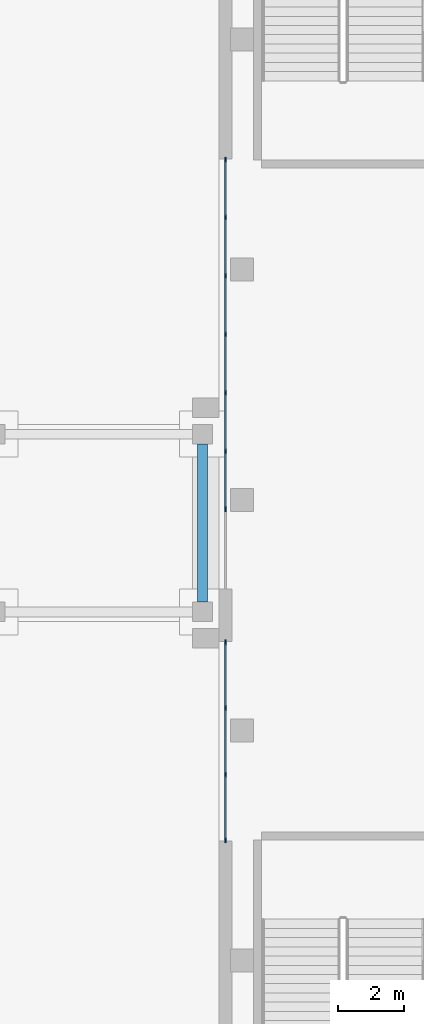
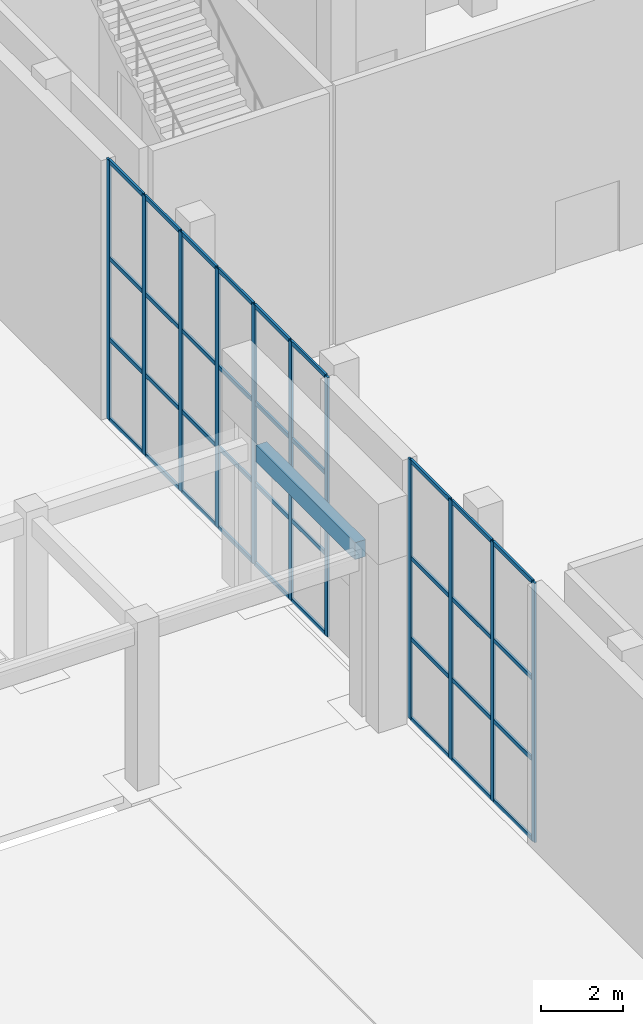
# One storey, part 16 of 57: 47 members, 1 beam, 2 elements without a shape of their own.
"""IFC4 building model written with IfcOpenShell, lengths in metres."""

from ifc_helpers import new_model, si_unit, direction, frame, origin, origin_2d, place, context, subcontext, project, spatial, rectangle, extrude, material, material_profile, profile_set, type_object, element, aggregate, save


model = new_model("IFC4")

# Units and contexts
model_context = context("Model", 3, precision=1e-05, world=origin(), true_north=direction((0.0, 1.0)))
body_context = subcontext(model_context, "Body", "Model", "MODEL_VIEW")
ifc_project = project(units=[si_unit("LENGTHUNIT", "METRE"), si_unit("AREAUNIT", "SQUARE_METRE"), si_unit("VOLUMEUNIT", "CUBIC_METRE"), si_unit("PLANEANGLEUNIT", "RADIAN"), si_unit("MASSUNIT", "GRAM", prefix="KILO")], contexts=[model_context])

# Site, building, storey
site_placement = place(None, origin())
site = spatial("IfcSite", under=ifc_project, at=site_placement, CompositionType="ELEMENT")
building_placement = place(site_placement, origin())
building = spatial("IfcBuilding", under=site, at=building_placement, Name="Tamorin Gate", CompositionType="ELEMENT")
storey_placement = place(building_placement, origin())
storey = spatial("IfcBuildingStorey", under=building, at=storey_placement, Name="L00", CompositionType="ELEMENT", Elevation=0.0)

# Curtain wall, members
ifc_material_1 = material(Name="Aluminium and glass", Category="aluminium")
curtain_wall_type = type_object("IfcCurtainWallType", Name="Museum atrium curtain wall", PredefinedType="NOTDEFINED", material=ifc_material_1)
curtain_wall_1_placement = place(storey_placement, origin())
curtain_wall_1 = element("IfcCurtainWall", 1, at=curtain_wall_1_placement, inside=storey, type_object=curtain_wall_type, Name="Museum atrium glazing", PredefinedType="NOTDEFINED")
ifc_material_2 = material(Name="Aluminium", Category="aluminium")
ifc_material_profile_1 = material_profile(ifc_material_2, rectangle(XDim=0.06005859375, YDim=0.159912109375, at=origin_2d()), Name="RECT 60x160")
ifc_profile_set_1 = profile_set([ifc_material_profile_1], Name="Aluminium")
member_type_1 = type_object("IfcMemberType", Name="Museum mullion 60x160", PredefinedType="MULLION", material=ifc_profile_set_1)
member_1_placement = place(storey_placement, frame((145.199951171875, 66.360107421875, 0.0), z_axis=(0.0, 0.0, 1.0), x_axis=(-1.0, 0.0, 0.0)))
member_1 = element("IfcMember", 2, at=member_1_placement, type_object=member_type_1, Name="CWM1 mullion 1", PredefinedType="MULLION", context=body_context, shape_type="SweptSolid", body=[
    extrude(rectangle(XDim=0.06005859375, YDim=0.159912109375, at=origin_2d()), origin(), (0.0, 0.0, 1.0), 7.699951171875),
])
member_2_placement = place(storey_placement, frame((145.199951171875, 68.353271484375, 0.0), z_axis=(0.0, 0.0, 1.0), x_axis=(-1.0, 0.0, 0.0)))
member_2 = element("IfcMember", 3, at=member_2_placement, type_object=member_type_1, Name="CWM1 mullion 2", PredefinedType="MULLION", context=body_context, shape_type="SweptSolid", body=[
    extrude(rectangle(XDim=0.06005859375, YDim=0.159912109375, at=origin_2d()), origin(), (0.0, 0.0, 1.0), 7.699951171875),
])
member_3_placement = place(storey_placement, frame((145.199951171875, 70.376708984375, 0.0), z_axis=(0.0, 0.0, 1.0), x_axis=(-1.0, 0.0, 0.0)))
member_3 = element("IfcMember", 4, at=member_3_placement, type_object=member_type_1, Name="CWM1 mullion 3", PredefinedType="MULLION", context=body_context, shape_type="SweptSolid", body=[
    extrude(rectangle(XDim=0.06005859375, YDim=0.159912109375, at=origin_2d()), origin(), (0.0, 0.0, 1.0), 7.699951171875),
])
member_4_placement = place(storey_placement, frame((145.199951171875, 72.3701171875, 0.0), z_axis=(0.0, 0.0, 1.0), x_axis=(-1.0, 0.0, 0.0)))
member_4 = element("IfcMember", 5, at=member_4_placement, type_object=member_type_1, Name="CWM1 mullion 4", PredefinedType="MULLION", context=body_context, shape_type="SweptSolid", body=[
    extrude(rectangle(XDim=0.06005859375, YDim=0.159912109375, at=origin_2d()), origin(), (0.0, 0.0, 1.0), 7.699951171875),
])

curtain_wall_2_placement = place(storey_placement, origin())
curtain_wall_2 = element("IfcCurtainWall", 6, at=curtain_wall_2_placement, inside=storey, type_object=curtain_wall_type, Name="Museum atrium glazing", PredefinedType="NOTDEFINED")
member_5_placement = place(storey_placement, frame((145.199951171875, 76.429931640625, 0.0), z_axis=(0.0, 0.0, 1.0), x_axis=(-1.0, 0.0, 0.0)))
member_5 = element("IfcMember", 7, at=member_5_placement, type_object=member_type_1, Name="CWM2 mullion 1", PredefinedType="MULLION", context=body_context, shape_type="SweptSolid", body=[
    extrude(rectangle(XDim=0.06005859375, YDim=0.159912109375, at=origin_2d()), origin(), (0.0, 0.0, 1.0), 7.699951171875),
])
member_6_placement = place(storey_placement, frame((145.199951171875, 78.17822265625, 0.0), z_axis=(0.0, 0.0, 1.0), x_axis=(-1.0, 0.0, 0.0)))
member_6 = element("IfcMember", 8, at=member_6_placement, type_object=member_type_1, Name="CWM2 mullion 2", PredefinedType="MULLION", context=body_context, shape_type="SweptSolid", body=[
    extrude(rectangle(XDim=0.06005859375, YDim=0.159912109375, at=origin_2d()), origin(), (0.0, 0.0, 1.0), 7.699951171875),
])
member_7_placement = place(storey_placement, frame((145.199951171875, 79.956787109375, 0.0), z_axis=(0.0, 0.0, 1.0), x_axis=(-1.0, 0.0, 0.0)))
member_7 = element("IfcMember", 9, at=member_7_placement, type_object=member_type_1, Name="CWM2 mullion 3", PredefinedType="MULLION", context=body_context, shape_type="SweptSolid", body=[
    extrude(rectangle(XDim=0.06005859375, YDim=0.159912109375, at=origin_2d()), origin(), (0.0, 0.0, 1.0), 7.699951171875),
])
member_8_placement = place(storey_placement, frame((145.199951171875, 81.735107421875, 0.0), z_axis=(0.0, 0.0, 1.0), x_axis=(-1.0, 0.0, 0.0)))
member_8 = element("IfcMember", 10, at=member_8_placement, type_object=member_type_1, Name="CWM2 mullion 4", PredefinedType="MULLION", context=body_context, shape_type="SweptSolid", body=[
    extrude(rectangle(XDim=0.06005859375, YDim=0.159912109375, at=origin_2d()), origin(), (0.0, 0.0, 1.0), 7.699951171875),
])
member_9_placement = place(storey_placement, frame((145.199951171875, 83.513427734375, 0.0), z_axis=(0.0, 0.0, 1.0), x_axis=(-1.0, 0.0, 0.0)))
member_9 = element("IfcMember", 11, at=member_9_placement, type_object=member_type_1, Name="CWM2 mullion 5", PredefinedType="MULLION", context=body_context, shape_type="SweptSolid", body=[
    extrude(rectangle(XDim=0.06005859375, YDim=0.159912109375, at=origin_2d()), origin(), (0.0, 0.0, 1.0), 7.699951171875),
])
member_10_placement = place(storey_placement, frame((145.199951171875, 85.291748046875, 0.0), z_axis=(0.0, 0.0, 1.0), x_axis=(-1.0, 0.0, 0.0)))
member_10 = element("IfcMember", 12, at=member_10_placement, type_object=member_type_1, Name="CWM2 mullion 6", PredefinedType="MULLION", context=body_context, shape_type="SweptSolid", body=[
    extrude(rectangle(XDim=0.06005859375, YDim=0.159912109375, at=origin_2d()), origin(), (0.0, 0.0, 1.0), 7.699951171875),
])
member_11_placement = place(storey_placement, frame((145.199951171875, 87.0400390625, 0.0), z_axis=(0.0, 0.0, 1.0), x_axis=(-1.0, 0.0, 0.0)))
member_11 = element("IfcMember", 13, at=member_11_placement, type_object=member_type_1, Name="CWM2 mullion 7", PredefinedType="MULLION", context=body_context, shape_type="SweptSolid", body=[
    extrude(rectangle(XDim=0.06005859375, YDim=0.159912109375, at=origin_2d()), origin(), (0.0, 0.0, 1.0), 7.699951171875),
])

# Member
ifc_material_profile_2 = material_profile(ifc_material_2, rectangle(XDim=0.06005859375, YDim=0.1201171875, at=origin_2d()), Name="RECT 60x120")
ifc_profile_set_2 = profile_set([ifc_material_profile_2], Name="Aluminium")
member_type_2 = type_object("IfcMemberType", Name="Museum transom 60x120", PredefinedType="USERDEFINED", material=ifc_profile_set_2)
member_12_placement = place(storey_placement, frame((145.199951171875, 66.389892578125, 0.030029296875), z_axis=(0.0, 1.0, 0.0), x_axis=(-1.0, 0.0, 0.0)))
member_12 = element("IfcMember", 14, at=member_12_placement, type_object=member_type_2, Name="CWM1 transom 1.1", ObjectType="TRANSOM", PredefinedType="USERDEFINED", context=body_context, shape_type="SweptSolid", body=[
    extrude(rectangle(XDim=0.06005859375, YDim=0.1201171875, at=origin_2d()), origin(), (0.0, 0.0, 1.0), 1.933349609375),
])

member_13_placement = place(storey_placement, frame((145.199951171875, 66.389892578125, 2.39990234375), z_axis=(0.0, 1.0, 0.0), x_axis=(-1.0, 0.0, 0.0)))
member_13 = element("IfcMember", 15, at=member_13_placement, type_object=member_type_2, Name="CWM1 transom 1.2", ObjectType="TRANSOM", PredefinedType="USERDEFINED", context=body_context, shape_type="SweptSolid", body=[
    extrude(rectangle(XDim=0.06005859375, YDim=0.1201171875, at=origin_2d()), origin(), (0.0, 0.0, 1.0), 1.933349609375),
])

member_14_placement = place(storey_placement, frame((145.199951171875, 66.389892578125, 4.800048828125), z_axis=(0.0, 1.0, 0.0), x_axis=(-1.0, 0.0, 0.0)))
member_14 = element("IfcMember", 16, at=member_14_placement, type_object=member_type_2, Name="CWM1 transom 1.3", ObjectType="TRANSOM", PredefinedType="USERDEFINED", context=body_context, shape_type="SweptSolid", body=[
    extrude(rectangle(XDim=0.06005859375, YDim=0.1201171875, at=origin_2d()), origin(), (0.0, 0.0, 1.0), 1.933349609375),
])

member_15_placement = place(storey_placement, frame((145.199951171875, 66.389892578125, 7.669921875), z_axis=(0.0, 1.0, 0.0), x_axis=(-1.0, 0.0, 0.0)))
member_15 = element("IfcMember", 17, at=member_15_placement, type_object=member_type_2, Name="CWM1 transom 1.4", ObjectType="TRANSOM", PredefinedType="USERDEFINED", context=body_context, shape_type="SweptSolid", body=[
    extrude(rectangle(XDim=0.06005859375, YDim=0.1201171875, at=origin_2d()), origin(), (0.0, 0.0, 1.0), 1.933349609375),
])

member_16_placement = place(storey_placement, frame((145.199951171875, 68.38330078125, 0.030029296875), z_axis=(0.0, 1.0, 0.0), x_axis=(-1.0, 0.0, 0.0)))
member_16 = element("IfcMember", 18, at=member_16_placement, type_object=member_type_2, Name="CWM1 transom 2.1", ObjectType="TRANSOM", PredefinedType="USERDEFINED", context=body_context, shape_type="SweptSolid", body=[
    extrude(rectangle(XDim=0.06005859375, YDim=0.1201171875, at=origin_2d()), origin(), (0.0, 0.0, 1.0), 1.96337890625),
])

member_17_placement = place(storey_placement, frame((145.199951171875, 68.38330078125, 2.39990234375), z_axis=(0.0, 1.0, 0.0), x_axis=(-1.0, 0.0, 0.0)))
member_17 = element("IfcMember", 19, at=member_17_placement, type_object=member_type_2, Name="CWM1 transom 2.2", ObjectType="TRANSOM", PredefinedType="USERDEFINED", context=body_context, shape_type="SweptSolid", body=[
    extrude(rectangle(XDim=0.06005859375, YDim=0.1201171875, at=origin_2d()), origin(), (0.0, 0.0, 1.0), 1.96337890625),
])

member_18_placement = place(storey_placement, frame((145.199951171875, 68.38330078125, 4.800048828125), z_axis=(0.0, 1.0, 0.0), x_axis=(-1.0, 0.0, 0.0)))
member_18 = element("IfcMember", 20, at=member_18_placement, type_object=member_type_2, Name="CWM1 transom 2.3", ObjectType="TRANSOM", PredefinedType="USERDEFINED", context=body_context, shape_type="SweptSolid", body=[
    extrude(rectangle(XDim=0.06005859375, YDim=0.1201171875, at=origin_2d()), origin(), (0.0, 0.0, 1.0), 1.96337890625),
])

member_19_placement = place(storey_placement, frame((145.199951171875, 68.38330078125, 7.669921875), z_axis=(0.0, 1.0, 0.0), x_axis=(-1.0, 0.0, 0.0)))
member_19 = element("IfcMember", 21, at=member_19_placement, type_object=member_type_2, Name="CWM1 transom 2.4", ObjectType="TRANSOM", PredefinedType="USERDEFINED", context=body_context, shape_type="SweptSolid", body=[
    extrude(rectangle(XDim=0.06005859375, YDim=0.1201171875, at=origin_2d()), origin(), (0.0, 0.0, 1.0), 1.96337890625),
])

member_20_placement = place(storey_placement, frame((145.199951171875, 70.40673828125, 0.030029296875), z_axis=(0.0, 1.0, 0.0), x_axis=(-1.0, 0.0, 0.0)))
member_20 = element("IfcMember", 22, at=member_20_placement, type_object=member_type_2, Name="CWM1 transom 3.1", ObjectType="TRANSOM", PredefinedType="USERDEFINED", context=body_context, shape_type="SweptSolid", body=[
    extrude(rectangle(XDim=0.06005859375, YDim=0.1201171875, at=origin_2d()), origin(), (0.0, 0.0, 1.0), 1.933349609375),
])

member_21_placement = place(storey_placement, frame((145.199951171875, 70.40673828125, 2.39990234375), z_axis=(0.0, 1.0, 0.0), x_axis=(-1.0, 0.0, 0.0)))
member_21 = element("IfcMember", 23, at=member_21_placement, type_object=member_type_2, Name="CWM1 transom 3.2", ObjectType="TRANSOM", PredefinedType="USERDEFINED", context=body_context, shape_type="SweptSolid", body=[
    extrude(rectangle(XDim=0.06005859375, YDim=0.1201171875, at=origin_2d()), origin(), (0.0, 0.0, 1.0), 1.933349609375),
])

member_22_placement = place(storey_placement, frame((145.199951171875, 70.40673828125, 4.800048828125), z_axis=(0.0, 1.0, 0.0), x_axis=(-1.0, 0.0, 0.0)))
member_22 = element("IfcMember", 24, at=member_22_placement, type_object=member_type_2, Name="CWM1 transom 3.3", ObjectType="TRANSOM", PredefinedType="USERDEFINED", context=body_context, shape_type="SweptSolid", body=[
    extrude(rectangle(XDim=0.06005859375, YDim=0.1201171875, at=origin_2d()), origin(), (0.0, 0.0, 1.0), 1.933349609375),
])

member_23_placement = place(storey_placement, frame((145.199951171875, 70.40673828125, 7.669921875), z_axis=(0.0, 1.0, 0.0), x_axis=(-1.0, 0.0, 0.0)))
member_23 = element("IfcMember", 25, at=member_23_placement, type_object=member_type_2, Name="CWM1 transom 3.4", ObjectType="TRANSOM", PredefinedType="USERDEFINED", context=body_context, shape_type="SweptSolid", body=[
    extrude(rectangle(XDim=0.06005859375, YDim=0.1201171875, at=origin_2d()), origin(), (0.0, 0.0, 1.0), 1.933349609375),
])

aggregate(curtain_wall_1, [member_1, member_2, member_3, member_4, member_12, member_13, member_14, member_15, member_16, member_17, member_18, member_19, member_20, member_21, member_22, member_23])

member_24_placement = place(storey_placement, frame((145.199951171875, 76.4599609375, 0.030029296875), z_axis=(0.0, 1.0, 0.0), x_axis=(-1.0, 0.0, 0.0)))
member_24 = element("IfcMember", 26, at=member_24_placement, type_object=member_type_2, Name="CWM2 transom 1.1", ObjectType="TRANSOM", PredefinedType="USERDEFINED", context=body_context, shape_type="SweptSolid", body=[
    extrude(rectangle(XDim=0.06005859375, YDim=0.1201171875, at=origin_2d()), origin(), (0.0, 0.0, 1.0), 1.6884765625),
])

member_25_placement = place(storey_placement, frame((145.199951171875, 76.4599609375, 2.39990234375), z_axis=(0.0, 1.0, 0.0), x_axis=(-1.0, 0.0, 0.0)))
member_25 = element("IfcMember", 27, at=member_25_placement, type_object=member_type_2, Name="CWM2 transom 1.2", ObjectType="TRANSOM", PredefinedType="USERDEFINED", context=body_context, shape_type="SweptSolid", body=[
    extrude(rectangle(XDim=0.06005859375, YDim=0.1201171875, at=origin_2d()), origin(), (0.0, 0.0, 1.0), 1.6884765625),
])

member_26_placement = place(storey_placement, frame((145.199951171875, 76.4599609375, 4.800048828125), z_axis=(0.0, 1.0, 0.0), x_axis=(-1.0, 0.0, 0.0)))
member_26 = element("IfcMember", 28, at=member_26_placement, type_object=member_type_2, Name="CWM2 transom 1.3", ObjectType="TRANSOM", PredefinedType="USERDEFINED", context=body_context, shape_type="SweptSolid", body=[
    extrude(rectangle(XDim=0.06005859375, YDim=0.1201171875, at=origin_2d()), origin(), (0.0, 0.0, 1.0), 1.6884765625),
])

member_27_placement = place(storey_placement, frame((145.199951171875, 76.4599609375, 7.669921875), z_axis=(0.0, 1.0, 0.0), x_axis=(-1.0, 0.0, 0.0)))
member_27 = element("IfcMember", 29, at=member_27_placement, type_object=member_type_2, Name="CWM2 transom 1.4", ObjectType="TRANSOM", PredefinedType="USERDEFINED", context=body_context, shape_type="SweptSolid", body=[
    extrude(rectangle(XDim=0.06005859375, YDim=0.1201171875, at=origin_2d()), origin(), (0.0, 0.0, 1.0), 1.6884765625),
])

member_28_placement = place(storey_placement, frame((145.199951171875, 78.208251953125, 0.030029296875), z_axis=(0.0, 1.0, 0.0), x_axis=(-1.0, 0.0, 0.0)))
member_28 = element("IfcMember", 30, at=member_28_placement, type_object=member_type_2, Name="CWM2 transom 2.1", ObjectType="TRANSOM", PredefinedType="USERDEFINED", context=body_context, shape_type="SweptSolid", body=[
    extrude(rectangle(XDim=0.06005859375, YDim=0.1201171875, at=origin_2d()), origin(), (0.0, 0.0, 1.0), 1.718505859375),
])

member_29_placement = place(storey_placement, frame((145.199951171875, 78.208251953125, 2.39990234375), z_axis=(0.0, 1.0, 0.0), x_axis=(-1.0, 0.0, 0.0)))
member_29 = element("IfcMember", 31, at=member_29_placement, type_object=member_type_2, Name="CWM2 transom 2.2", ObjectType="TRANSOM", PredefinedType="USERDEFINED", context=body_context, shape_type="SweptSolid", body=[
    extrude(rectangle(XDim=0.06005859375, YDim=0.1201171875, at=origin_2d()), origin(), (0.0, 0.0, 1.0), 1.718505859375),
])

member_30_placement = place(storey_placement, frame((145.199951171875, 78.208251953125, 4.800048828125), z_axis=(0.0, 1.0, 0.0), x_axis=(-1.0, 0.0, 0.0)))
member_30 = element("IfcMember", 32, at=member_30_placement, type_object=member_type_2, Name="CWM2 transom 2.3", ObjectType="TRANSOM", PredefinedType="USERDEFINED", context=body_context, shape_type="SweptSolid", body=[
    extrude(rectangle(XDim=0.06005859375, YDim=0.1201171875, at=origin_2d()), origin(), (0.0, 0.0, 1.0), 1.718505859375),
])

member_31_placement = place(storey_placement, frame((145.199951171875, 78.208251953125, 7.669921875), z_axis=(0.0, 1.0, 0.0), x_axis=(-1.0, 0.0, 0.0)))
member_31 = element("IfcMember", 33, at=member_31_placement, type_object=member_type_2, Name="CWM2 transom 2.4", ObjectType="TRANSOM", PredefinedType="USERDEFINED", context=body_context, shape_type="SweptSolid", body=[
    extrude(rectangle(XDim=0.06005859375, YDim=0.1201171875, at=origin_2d()), origin(), (0.0, 0.0, 1.0), 1.718505859375),
])

member_32_placement = place(storey_placement, frame((145.199951171875, 79.986572265625, 0.030029296875), z_axis=(0.0, 1.0, 0.0), x_axis=(-1.0, 0.0, 0.0)))
member_32 = element("IfcMember", 34, at=member_32_placement, type_object=member_type_2, Name="CWM2 transom 3.1", ObjectType="TRANSOM", PredefinedType="USERDEFINED", context=body_context, shape_type="SweptSolid", body=[
    extrude(rectangle(XDim=0.06005859375, YDim=0.1201171875, at=origin_2d()), origin(), (0.0, 0.0, 1.0), 1.718505859375),
])

member_33_placement = place(storey_placement, frame((145.199951171875, 79.986572265625, 2.39990234375), z_axis=(0.0, 1.0, 0.0), x_axis=(-1.0, 0.0, 0.0)))
member_33 = element("IfcMember", 35, at=member_33_placement, type_object=member_type_2, Name="CWM2 transom 3.2", ObjectType="TRANSOM", PredefinedType="USERDEFINED", context=body_context, shape_type="SweptSolid", body=[
    extrude(rectangle(XDim=0.06005859375, YDim=0.1201171875, at=origin_2d()), origin(), (0.0, 0.0, 1.0), 1.718505859375),
])

member_34_placement = place(storey_placement, frame((145.199951171875, 79.986572265625, 4.800048828125), z_axis=(0.0, 1.0, 0.0), x_axis=(-1.0, 0.0, 0.0)))
member_34 = element("IfcMember", 36, at=member_34_placement, type_object=member_type_2, Name="CWM2 transom 3.3", ObjectType="TRANSOM", PredefinedType="USERDEFINED", context=body_context, shape_type="SweptSolid", body=[
    extrude(rectangle(XDim=0.06005859375, YDim=0.1201171875, at=origin_2d()), origin(), (0.0, 0.0, 1.0), 1.718505859375),
])

member_35_placement = place(storey_placement, frame((145.199951171875, 79.986572265625, 7.669921875), z_axis=(0.0, 1.0, 0.0), x_axis=(-1.0, 0.0, 0.0)))
member_35 = element("IfcMember", 37, at=member_35_placement, type_object=member_type_2, Name="CWM2 transom 3.4", ObjectType="TRANSOM", PredefinedType="USERDEFINED", context=body_context, shape_type="SweptSolid", body=[
    extrude(rectangle(XDim=0.06005859375, YDim=0.1201171875, at=origin_2d()), origin(), (0.0, 0.0, 1.0), 1.718505859375),
])

member_36_placement = place(storey_placement, frame((145.199951171875, 81.764892578125, 0.030029296875), z_axis=(0.0, 1.0, 0.0), x_axis=(-1.0, 0.0, 0.0)))
member_36 = element("IfcMember", 38, at=member_36_placement, type_object=member_type_2, Name="CWM2 transom 4.1", ObjectType="TRANSOM", PredefinedType="USERDEFINED", context=body_context, shape_type="SweptSolid", body=[
    extrude(rectangle(XDim=0.06005859375, YDim=0.1201171875, at=origin_2d()), origin(), (0.0, 0.0, 1.0), 1.718505859375),
])

member_37_placement = place(storey_placement, frame((145.199951171875, 81.764892578125, 2.39990234375), z_axis=(0.0, 1.0, 0.0), x_axis=(-1.0, 0.0, 0.0)))
member_37 = element("IfcMember", 39, at=member_37_placement, type_object=member_type_2, Name="CWM2 transom 4.2", ObjectType="TRANSOM", PredefinedType="USERDEFINED", context=body_context, shape_type="SweptSolid", body=[
    extrude(rectangle(XDim=0.06005859375, YDim=0.1201171875, at=origin_2d()), origin(), (0.0, 0.0, 1.0), 1.718505859375),
])

member_38_placement = place(storey_placement, frame((145.199951171875, 81.764892578125, 4.800048828125), z_axis=(0.0, 1.0, 0.0), x_axis=(-1.0, 0.0, 0.0)))
member_38 = element("IfcMember", 40, at=member_38_placement, type_object=member_type_2, Name="CWM2 transom 4.3", ObjectType="TRANSOM", PredefinedType="USERDEFINED", context=body_context, shape_type="SweptSolid", body=[
    extrude(rectangle(XDim=0.06005859375, YDim=0.1201171875, at=origin_2d()), origin(), (0.0, 0.0, 1.0), 1.718505859375),
])

member_39_placement = place(storey_placement, frame((145.199951171875, 81.764892578125, 7.669921875), z_axis=(0.0, 1.0, 0.0), x_axis=(-1.0, 0.0, 0.0)))
member_39 = element("IfcMember", 41, at=member_39_placement, type_object=member_type_2, Name="CWM2 transom 4.4", ObjectType="TRANSOM", PredefinedType="USERDEFINED", context=body_context, shape_type="SweptSolid", body=[
    extrude(rectangle(XDim=0.06005859375, YDim=0.1201171875, at=origin_2d()), origin(), (0.0, 0.0, 1.0), 1.718505859375),
])

member_40_placement = place(storey_placement, frame((145.199951171875, 83.543212890625, 0.030029296875), z_axis=(0.0, 1.0, 0.0), x_axis=(-1.0, 0.0, 0.0)))
member_40 = element("IfcMember", 42, at=member_40_placement, type_object=member_type_2, Name="CWM2 transom 5.1", ObjectType="TRANSOM", PredefinedType="USERDEFINED", context=body_context, shape_type="SweptSolid", body=[
    extrude(rectangle(XDim=0.06005859375, YDim=0.1201171875, at=origin_2d()), origin(), (0.0, 0.0, 1.0), 1.718505859375),
])

member_41_placement = place(storey_placement, frame((145.199951171875, 83.543212890625, 2.39990234375), z_axis=(0.0, 1.0, 0.0), x_axis=(-1.0, 0.0, 0.0)))
member_41 = element("IfcMember", 43, at=member_41_placement, type_object=member_type_2, Name="CWM2 transom 5.2", ObjectType="TRANSOM", PredefinedType="USERDEFINED", context=body_context, shape_type="SweptSolid", body=[
    extrude(rectangle(XDim=0.06005859375, YDim=0.1201171875, at=origin_2d()), origin(), (0.0, 0.0, 1.0), 1.718505859375),
])

member_42_placement = place(storey_placement, frame((145.199951171875, 83.543212890625, 4.800048828125), z_axis=(0.0, 1.0, 0.0), x_axis=(-1.0, 0.0, 0.0)))
member_42 = element("IfcMember", 44, at=member_42_placement, type_object=member_type_2, Name="CWM2 transom 5.3", ObjectType="TRANSOM", PredefinedType="USERDEFINED", context=body_context, shape_type="SweptSolid", body=[
    extrude(rectangle(XDim=0.06005859375, YDim=0.1201171875, at=origin_2d()), origin(), (0.0, 0.0, 1.0), 1.718505859375),
])

member_43_placement = place(storey_placement, frame((145.199951171875, 83.543212890625, 7.669921875), z_axis=(0.0, 1.0, 0.0), x_axis=(-1.0, 0.0, 0.0)))
member_43 = element("IfcMember", 45, at=member_43_placement, type_object=member_type_2, Name="CWM2 transom 5.4", ObjectType="TRANSOM", PredefinedType="USERDEFINED", context=body_context, shape_type="SweptSolid", body=[
    extrude(rectangle(XDim=0.06005859375, YDim=0.1201171875, at=origin_2d()), origin(), (0.0, 0.0, 1.0), 1.718505859375),
])

member_44_placement = place(storey_placement, frame((145.199951171875, 85.32177734375, 0.030029296875), z_axis=(0.0, 1.0, 0.0), x_axis=(-1.0, 0.0, 0.0)))
member_44 = element("IfcMember", 46, at=member_44_placement, type_object=member_type_2, Name="CWM2 transom 6.1", ObjectType="TRANSOM", PredefinedType="USERDEFINED", context=body_context, shape_type="SweptSolid", body=[
    extrude(rectangle(XDim=0.06005859375, YDim=0.1201171875, at=origin_2d()), origin(), (0.0, 0.0, 1.0), 1.688232421875),
])

member_45_placement = place(storey_placement, frame((145.199951171875, 85.32177734375, 2.39990234375), z_axis=(0.0, 1.0, 0.0), x_axis=(-1.0, 0.0, 0.0)))
member_45 = element("IfcMember", 47, at=member_45_placement, type_object=member_type_2, Name="CWM2 transom 6.2", ObjectType="TRANSOM", PredefinedType="USERDEFINED", context=body_context, shape_type="SweptSolid", body=[
    extrude(rectangle(XDim=0.06005859375, YDim=0.1201171875, at=origin_2d()), origin(), (0.0, 0.0, 1.0), 1.688232421875),
])

member_46_placement = place(storey_placement, frame((145.199951171875, 85.32177734375, 4.800048828125), z_axis=(0.0, 1.0, 0.0), x_axis=(-1.0, 0.0, 0.0)))
member_46 = element("IfcMember", 48, at=member_46_placement, type_object=member_type_2, Name="CWM2 transom 6.3", ObjectType="TRANSOM", PredefinedType="USERDEFINED", context=body_context, shape_type="SweptSolid", body=[
    extrude(rectangle(XDim=0.06005859375, YDim=0.1201171875, at=origin_2d()), origin(), (0.0, 0.0, 1.0), 1.688232421875),
])

member_47_placement = place(storey_placement, frame((145.199951171875, 85.32177734375, 7.669921875), z_axis=(0.0, 1.0, 0.0), x_axis=(-1.0, 0.0, 0.0)))
member_47 = element("IfcMember", 49, at=member_47_placement, type_object=member_type_2, Name="CWM2 transom 6.4", ObjectType="TRANSOM", PredefinedType="USERDEFINED", context=body_context, shape_type="SweptSolid", body=[
    extrude(rectangle(XDim=0.06005859375, YDim=0.1201171875, at=origin_2d()), origin(), (0.0, 0.0, 1.0), 1.688232421875),
])

aggregate(curtain_wall_2, [member_5, member_6, member_7, member_8, member_9, member_10, member_11, member_24, member_25, member_26, member_27, member_28, member_29, member_30, member_31, member_32, member_33, member_34, member_35, member_36, member_37, member_38, member_39, member_40, member_41, member_42, member_43, member_44, member_45, member_46, member_47])

# Beam
ifc_material_3 = material(Name="Concrete C40/50", Category="concrete")
ifc_material_profile_3 = material_profile(ifc_material_3, rectangle(XDim=0.300048828125, YDim=0.5, at=origin_2d()))
ifc_profile_set_3 = profile_set([ifc_material_profile_3], Name="Concrete C40/50")
beam_type = type_object("IfcBeamType", Name="RC arcade roof beam 300x500 C40/50", PredefinedType="BEAM", material=ifc_profile_set_3)
beam_placement = place(storey_placement, frame((144.5, 73.60009765625, 4.5), z_axis=(0.0, 1.0, 0.0), x_axis=(-1.0, 0.0, 0.0)))
element("IfcBeam", 50, at=beam_placement, inside=storey, type_object=beam_type, Name="Arcade roof beam", PredefinedType="BEAM", context=body_context, shape_type="SweptSolid", body=[
    extrude(rectangle(XDim=0.300048828125, YDim=0.5, at=origin_2d()), origin(), (0.0, 0.0, 1.0), 4.7998046875),
])

save(model, "model.ifc")
